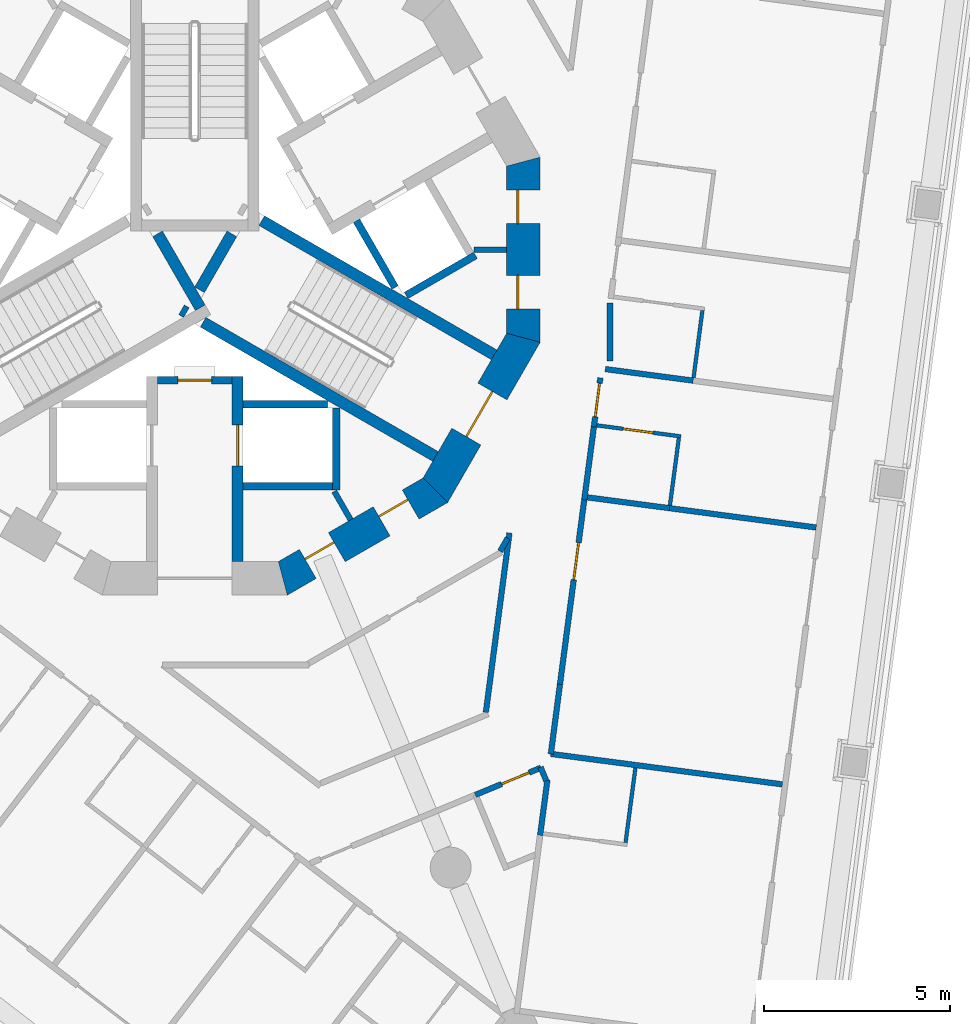
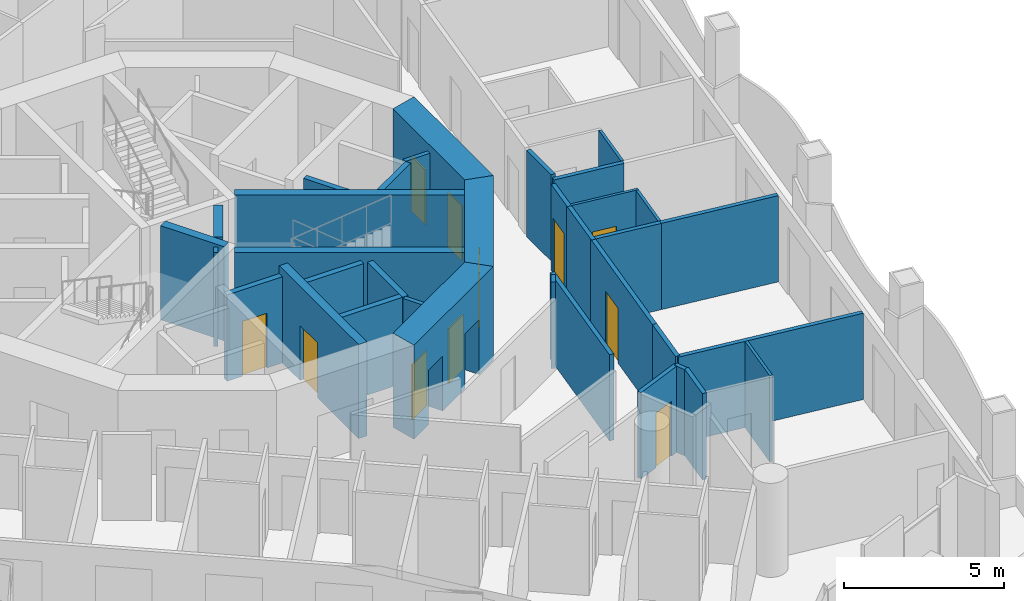
# One storey, part 5 of 18: 35 walls, 11 doors, 11 openings.
"""IFC4 building model written with IfcOpenShell, lengths in metres."""

from ifc_helpers import new_model, si_unit, direction, frame, frame_2d, origin, place, context, subcontext, project, spatial, polyline, rectangle, outline, extrude, material, layer, layer_set, type_object, element, fill, save


model = new_model("IFC4")

# Units and contexts
model_context = context("Model", 3, precision=1e-05, world=origin(), true_north=direction((0.0, 1.0)))
body_context = subcontext(model_context, "Body", "Model", "MODEL_VIEW")
ifc_project = project(units=[si_unit("LENGTHUNIT", "METRE"), si_unit("AREAUNIT", "SQUARE_METRE"), si_unit("VOLUMEUNIT", "CUBIC_METRE"), si_unit("PLANEANGLEUNIT", "RADIAN"), si_unit("MASSUNIT", "GRAM", prefix="KILO")], contexts=[model_context])

# Site, building, storey
site_placement = place(None, origin())
site = spatial("IfcSite", under=ifc_project, at=site_placement, CompositionType="ELEMENT")
building_placement = place(site_placement, origin())
building = spatial("IfcBuilding", under=site, at=building_placement, Name="Trine Commons Tower", CompositionType="ELEMENT")
storey_placement = place(building_placement, frame((0.0, 0.0, 145.800048828125)))
storey = spatial("IfcBuildingStorey", under=building, at=storey_placement, Name="L37", CompositionType="ELEMENT", Elevation=145.800048828125)

# Walls
ifc_material_1 = material(Name="Plasterboard partition on steel studs", Category="steel")
ifc_layer_1 = layer(ifc_material_1, 0.14990234375)
ifc_layer_set_1 = layer_set([ifc_layer_1], Name="Plasterboard partition on steel studs")
wall_type_1 = type_object("IfcWallType", Name="Core room partition 150 mm, EI 60", PredefinedType="PARTITIONING", material=ifc_layer_set_1)
for number, where, z_axis, x_axis, name in (
    (1, (84.18603515625, 55.2490234375, 0.0), (0.0, 0.0, 1.0), (-0.499890179513, 0.866088799389, 0.0), "Core room partition L37"),
    (2, (88.373046875, 62.5, 0.0), (0.0, 0.0, 1.0), (-1.0, 0.0, 0.0), "Core room partition L37"),
):
    element("IfcWall", number, at=place(storey_placement, frame(where, z_axis=z_axis, x_axis=x_axis)), inside=storey, type_object=wall_type_1, Name=name, PredefinedType="PARTITIONING", context=body_context, shape_type="SweptSolid", body=[
        extrude(rectangle(XDim=0.882080078125, YDim=0.14990234375, at=frame_2d((0.44091796875, 0.0))), origin(), (0.0, 0.0, 1.0), 3.300048828125),
    ])

# Wall, opening, door
ifc_material_2 = material(Name="Fire-rated gypsum shaft wall system")
ifc_layer_2 = layer(ifc_material_2, 0.199951171875)
ifc_layer_set_2 = layer_set([ifc_layer_2], Name="Fire-rated gypsum shaft wall system")
wall_type_2 = type_object("IfcWallType", Name="Lobby end wall 200 mm, EI 120", PredefinedType="PARTITIONING", material=ifc_layer_set_2)
wall_1_placement = place(storey_placement, frame((79.0, 59.0, 0.0), z_axis=(0.0, 0.0, 1.0), x_axis=(1.0, 0.0, 0.0)))
wall_1 = element("IfcWall", 3, at=wall_1_placement, inside=storey, type_object=wall_type_2, Name="Lobby end wall L37", PredefinedType="PARTITIONING", context=body_context, shape_type="SweptSolid", body=[
    extrude(rectangle(XDim=2.0, YDim=0.199951171875, at=frame_2d((1.0, 0.0))), origin(), (0.0, 0.0, 1.0), 3.300048828125),
])
opening_1_placement = place(wall_1_placement, frame((0.550048828125, 0.0, 0.0)))
opening_1 = element("IfcOpeningElement", 4, at=opening_1_placement, cuts=wall_1, Name="Opening K12.09", PredefinedType="OPENING", context=body_context, shape_type="SweptSolid", body=[
    extrude(rectangle(XDim=0.89990234375, YDim=2.10009765625, at=frame_2d((0.449951171875, 1.050048828125))), frame((0.0, 0.10986328125, 0.0), z_axis=(0.0, -1.0, 0.0), x_axis=(1.0, 0.0, 0.0)), (0.0, 0.0, 1.0), 0.219970703125),
])
ifc_material_3 = material(Name="Steel door leaf, fire-rated", Category="steel")
door_type_1 = type_object("IfcDoorType", Name="Riser access door, single leaf 900 x 2100, FD60", OperationType="SINGLE_SWING_LEFT", PredefinedType="DOOR", material=ifc_material_3)
door_1_placement = place(opening_1_placement, frame((0.89990234375, 0.0, 0.0), z_axis=(0.0, 0.0, 1.0), x_axis=(-1.0, 0.0, 0.0)))
door_1 = element("IfcDoor", 5, at=door_1_placement, inside=storey, type_object=door_type_1, Name="Riser door, Communications riser L37", OperationType="SINGLE_SWING_RIGHT", OverallHeight=2.10009765625, OverallWidth=0.89990234375, PredefinedType="DOOR", context=body_context, shape_type="SweptSolid", body=[
    extrude(rectangle(XDim=0.89990234375, YDim=2.10009765625, at=frame_2d((0.449951171875, 1.050048828125))), frame((0.0, 0.02490234375, 0.0), z_axis=(0.0, -1.0, 0.0), x_axis=(1.0, 0.0, 0.0)), (0.0, 0.0, 1.0), 0.050048828125),
])
fill(opening_1, door_1)

ifc_material_4 = material(Name="Concrete C70/85", Category="concrete")
ifc_layer_3 = layer(ifc_material_4, 0.300048828125)
ifc_layer_set_3 = layer_set([ifc_layer_3], Name="Concrete C70/85")
wall_type_3 = type_object("IfcWallType", Name="RC shear wall 300 mm, C70/85", PredefinedType="SHEAR", material=ifc_layer_set_3)
wall_2_placement = place(storey_placement, frame((81.14990234375, 59.10009765625, 0.0), z_axis=(0.0, 0.0, 1.0), x_axis=(0.0, -1.0, 0.0)))
wall_2 = element("IfcWall", 6, at=wall_2_placement, inside=storey, type_object=wall_type_3, Name="Core cross wall SWB-04 L37", PredefinedType="SHEAR", context=body_context, shape_type="SweptSolid", body=[
    extrude(rectangle(XDim=4.97314453125, YDim=0.300048828125, at=frame_2d((2.486572265625, 0.0))), origin(), (0.0, 0.0, 1.0), 3.599853515625),
])
opening_2_placement = place(wall_2_placement, frame((1.300048828125, 0.0, 0.0)))
opening_2 = element("IfcOpeningElement", 7, at=opening_2_placement, cuts=wall_2, Name="Opening LD9", PredefinedType="OPENING", context=body_context, shape_type="SweptSolid", body=[
    extrude(rectangle(XDim=1.10009765625, YDim=2.10009765625, at=frame_2d((0.550048828125, 1.050048828125))), frame((0.0, 0.159912109375, 0.0), z_axis=(0.0, -1.0, 0.0), x_axis=(1.0, 0.0, 0.0)), (0.0, 0.0, 1.0), 0.320068359375),
])
ifc_material_5 = material(Name="Stainless steel sliding door leaves", Category="steel")
door_type_2 = type_object("IfcDoorType", Name="Lift landing door, centre-opening sliding 1100 x 2100, FD90", OperationType="DOUBLE_DOOR_SLIDING", PredefinedType="DOOR", material=ifc_material_5)
door_2_placement = place(opening_2_placement, origin())
door_2 = element("IfcDoor", 8, at=door_2_placement, inside=storey, type_object=door_type_2, Name="Lift landing door FF1 L37", OperationType="DOUBLE_DOOR_SLIDING", OverallHeight=2.10009765625, OverallWidth=1.10009765625, PredefinedType="DOOR", context=body_context, shape_type="SweptSolid", body=[
    extrude(rectangle(XDim=1.10009765625, YDim=2.10009765625, at=frame_2d((0.550048828125, 1.050048828125))), frame((0.0, 0.02490234375, 0.0), z_axis=(0.0, -1.0, 0.0), x_axis=(1.0, 0.0, 0.0)), (0.0, 0.0, 1.0), 0.050048828125),
])
fill(opening_2, door_2)

# Walls
wall_3_placement = place(storey_placement, frame((79.0029296875, 62.926025390625, 0.0), z_axis=(0.0, 0.0, 1.0), x_axis=(0.499965247104, -0.866045467449, 0.0)))
element("IfcWall", 9, at=wall_3_placement, inside=storey, type_object=wall_type_3, Name="Core cross wall SWB-10 L37", PredefinedType="SHEAR", context=body_context, shape_type="SweptSolid", body=[
    extrude(rectangle(XDim=2.292236328125, YDim=0.300048828125, at=frame_2d((1.14599609375, 0.0))), origin(), (0.0, 0.0, 1.0), 3.599853515625),
])
wall_4_placement = place(storey_placement, frame((79.64599609375, 60.885986328125, 0.0), z_axis=(0.0, 0.0, 1.0), x_axis=(0.867331893649, -0.497730234424, 0.0)))
element("IfcWall", 10, at=wall_4_placement, inside=storey, type_object=wall_type_3, Name="Core cross wall SWB-11 L37", PredefinedType="SHEAR", context=body_context, shape_type="SweptSolid", body=[
    extrude(rectangle(XDim=0.148681640625, YDim=0.300048828125, at=frame_2d((0.07421875, 0.0))), origin(), (0.0, 0.0, 1.0), 3.599853515625),
])
wall_5_placement = place(storey_placement, frame((80.1298828125, 61.424072265625, 0.0), z_axis=(0.0, 0.0, 1.0), x_axis=(0.500014901547, 0.866016800201, 0.0)))
element("IfcWall", 11, at=wall_5_placement, inside=storey, type_object=wall_type_3, Name="Core cross wall SWB-12 L37", PredefinedType="SHEAR", context=body_context, shape_type="SweptSolid", body=[
    extrude(rectangle(XDim=1.734375, YDim=0.300048828125, at=frame_2d((0.8671875, 0.0))), origin(), (0.0, 0.0, 1.0), 3.599853515625),
])
for number, where, z_axis, x_axis, name in (
    (12, (80.22509765625, 60.552001953125, 0.0), (0.0, 0.0, 1.0), (0.866028135082, -0.499995269223, 0.0), "Core cross wall SWB-13 L37"),
    (13, (81.800048828125, 63.280029296875, 0.0), (0.0, 0.0, 1.0), (0.866028135082, -0.499995269223, 0.0), "Core cross wall SWB-18 L37"),
):
    element("IfcWall", number, at=place(storey_placement, frame(where, z_axis=z_axis, x_axis=x_axis)), inside=storey, type_object=wall_type_3, Name=name, PredefinedType="SHEAR", context=body_context, shape_type="SweptSolid", body=[
        extrude(rectangle(XDim=7.2041015625, YDim=0.300048828125, at=frame_2d((3.60205078125, 0.0))), origin(), (0.0, 0.0, 1.0), 3.599853515625),
    ])

# Wall, openings, doors
ifc_layer_4 = layer(ifc_material_4, 0.89990234375)
ifc_layer_set_4 = layer_set([ifc_layer_4], Name="Concrete C70/85")
wall_type_4 = type_object("IfcWallType", Name="RC shear wall 900 mm, C70/85", PredefinedType="SHEAR", material=ifc_layer_set_4)
wall_6_placement = place(storey_placement, frame((88.822998046875, 60.015380859375, 0.0), z_axis=(0.0, 0.0, 1.0), x_axis=(0.0, 1.0, 0.0)))
wall_6 = element("IfcWall", 14, at=wall_6_placement, inside=storey, type_object=wall_type_4, Name="Core wall CWD-01 L37", PredefinedType="SHEAR", context=body_context, shape_type="SweptSolid", body=[
    extrude(outline(polyline([(0.0, -0.449951171875), (4.969482421875, -0.449951171875), (4.728271484375, 0.449951171875), (0.2412109375, 0.449951171875), (0.0, -0.449951171875)])), origin(), (0.0, 0.0, 1.0), 3.599853515625),
])
opening_3_placement = place(wall_6_placement, frame((0.893798828125, 0.0, 0.0)))
opening_3 = element("IfcOpeningElement", 15, at=opening_3_placement, cuts=wall_6, Name="Opening K12.10", PredefinedType="OPENING", context=body_context, shape_type="SweptSolid", body=[
    extrude(rectangle(XDim=0.89990234375, YDim=2.10009765625, at=frame_2d((0.449951171875, 1.050048828125))), frame((0.0, 0.4599609375, 0.0), z_axis=(0.0, -1.0, 0.0), x_axis=(1.0, 0.0, 0.0)), (0.0, 0.0, 1.0), 0.919921875),
])
opening_4_placement = place(wall_6_placement, frame((3.184814453125, 0.0, 0.0)))
opening_4 = element("IfcOpeningElement", 16, at=opening_4_placement, cuts=wall_6, Name="Opening K12.11", PredefinedType="OPENING", context=body_context, shape_type="SweptSolid", body=[
    extrude(rectangle(XDim=0.89990234375, YDim=2.10009765625, at=frame_2d((0.449951171875, 1.050048828125))), frame((0.0, 0.4599609375, 0.0), z_axis=(0.0, -1.0, 0.0), x_axis=(1.0, 0.0, 0.0)), (0.0, 0.0, 1.0), 0.919921875),
])
door_type_3 = type_object("IfcDoorType", Name="Core room door, single leaf 900 x 2100, FD30S", OperationType="SINGLE_SWING_LEFT", PredefinedType="DOOR", material=ifc_material_3)
door_3_placement = place(opening_3_placement, origin())
door_3 = element("IfcDoor", 17, at=door_3_placement, inside=storey, type_object=door_type_3, Name="Door to Linen store L37", OperationType="SINGLE_SWING_LEFT", OverallHeight=2.10009765625, OverallWidth=0.89990234375, PredefinedType="DOOR", context=body_context, shape_type="SweptSolid", body=[
    extrude(rectangle(XDim=0.89990234375, YDim=2.10009765625, at=frame_2d((0.449951171875, 1.050048828125))), frame((0.0, 0.1748046875, 0.0), z_axis=(0.0, -1.0, 0.0), x_axis=(1.0, 0.0, 0.0)), (0.0, 0.0, 1.0), 0.050048828125),
])
fill(opening_3, door_3)
door_4_placement = place(opening_4_placement, origin())
door_4 = element("IfcDoor", 18, at=door_4_placement, inside=storey, type_object=door_type_3, Name="Door to Pantry L37", OperationType="SINGLE_SWING_RIGHT", OverallHeight=2.10009765625, OverallWidth=0.89990234375, PredefinedType="DOOR", context=body_context, shape_type="SweptSolid", body=[
    extrude(rectangle(XDim=0.89990234375, YDim=2.10009765625, at=frame_2d((0.449951171875, 1.050048828125))), frame((0.0, 0.1748046875, 0.0), z_axis=(0.0, -1.0, 0.0), x_axis=(1.0, 0.0, 0.0)), (0.0, 0.0, 1.0), 0.050048828125),
])
fill(opening_4, door_4)

wall_7_placement = place(storey_placement, frame((82.259765625, 53.61669921875, 0.0), z_axis=(0.0, 0.0, 1.0), x_axis=(0.866003133579, 0.500038571144, 0.0)))
wall_7 = element("IfcWall", 19, at=wall_7_placement, inside=storey, type_object=wall_type_4, Name="Core wall CWD-11 L37", PredefinedType="SHEAR", context=body_context, shape_type="SweptSolid", body=[
    extrude(outline(polyline([(0.0, -0.449951171875), (4.96923828125, -0.449951171875), (4.72802734375, 0.449951171875), (0.2412109375, 0.449951171875), (0.0, -0.449951171875)])), origin(), (0.0, 0.0, 1.0), 3.599853515625),
])
opening_5_placement = place(wall_7_placement, frame((0.89501953125, 0.0, 0.0)))
opening_5 = element("IfcOpeningElement", 20, at=opening_5_placement, cuts=wall_7, Name="Opening K12.20", PredefinedType="OPENING", context=body_context, shape_type="SweptSolid", body=[
    extrude(rectangle(XDim=0.89990234375, YDim=2.10009765625, at=frame_2d((0.449951171875, 1.050048828125))), frame((0.0, 0.4599609375, 0.0), z_axis=(0.0, -1.0, 0.0), x_axis=(1.0, 0.0, 0.0)), (0.0, 0.0, 1.0), 0.919921875),
])
opening_6_placement = place(wall_7_placement, frame((3.18408203125, 0.0, 0.0)))
opening_6 = element("IfcOpeningElement", 21, at=opening_6_placement, cuts=wall_7, Name="Opening K12.21", PredefinedType="OPENING", context=body_context, shape_type="SweptSolid", body=[
    extrude(rectangle(XDim=0.89990234375, YDim=2.10009765625, at=frame_2d((0.449951171875, 1.050048828125))), frame((0.0, 0.4599609375, 0.0), z_axis=(0.0, -1.0, 0.0), x_axis=(1.0, 0.0, 0.0)), (0.0, 0.0, 1.0), 0.919921875),
])
door_5_placement = place(opening_5_placement, origin())
door_5 = element("IfcDoor", 22, at=door_5_placement, inside=storey, type_object=door_type_3, Name="Door to Accessible WC L37", OperationType="SINGLE_SWING_LEFT", OverallHeight=2.10009765625, OverallWidth=0.89990234375, PredefinedType="DOOR", context=body_context, shape_type="SweptSolid", body=[
    extrude(rectangle(XDim=0.89990234375, YDim=2.10009765625, at=frame_2d((0.449951171875, 1.050048828125))), frame((0.0, 0.1748046875, 0.0), z_axis=(0.0, -1.0, 0.0), x_axis=(1.0, 0.0, 0.0)), (0.0, 0.0, 1.0), 0.050048828125),
])
fill(opening_5, door_5)
door_6_placement = place(opening_6_placement, origin())
door_6 = element("IfcDoor", 23, at=door_6_placement, inside=storey, type_object=door_type_3, Name="Door to Linen store L37", OperationType="SINGLE_SWING_RIGHT", OverallHeight=2.10009765625, OverallWidth=0.89990234375, PredefinedType="DOOR", context=body_context, shape_type="SweptSolid", body=[
    extrude(rectangle(XDim=0.89990234375, YDim=2.10009765625, at=frame_2d((0.449951171875, 1.050048828125))), frame((0.0, 0.1748046875, 0.0), z_axis=(0.0, -1.0, 0.0), x_axis=(1.0, 0.0, 0.0)), (0.0, 0.0, 1.0), 0.050048828125),
])
fill(opening_6, door_6)

# Wall, opening, door
wall_8_placement = place(storey_placement, frame((86.3984375, 55.936767578125, 0.0), z_axis=(0.0, 0.0, 1.0), x_axis=(0.500038571144, 0.866003133579, 0.0)))
wall_8 = element("IfcWall", 24, at=wall_8_placement, inside=storey, type_object=wall_type_4, Name="Core wall CWD-12 L37", PredefinedType="SHEAR", context=body_context, shape_type="SweptSolid", body=[
    extrude(outline(polyline([(0.0, -0.449951171875), (4.96923828125, -0.449951171875), (4.72802734375, 0.449951171875), (0.2412109375, 0.449951171875), (0.0, -0.449951171875)])), origin(), (0.0, 0.0, 1.0), 3.599853515625),
])
opening_7_placement = place(wall_8_placement, frame((1.78466796875, 0.0, 0.0)))
opening_7 = element("IfcOpeningElement", 25, at=opening_7_placement, cuts=wall_8, Name="Opening K12.03", PredefinedType="OPENING", context=body_context, shape_type="SweptSolid", body=[
    extrude(rectangle(XDim=1.39990234375, YDim=2.10009765625, at=frame_2d((0.699951171875, 1.050048828125))), frame((0.0, 0.4599609375, 0.0), z_axis=(0.0, -1.0, 0.0), x_axis=(1.0, 0.0, 0.0)), (0.0, 0.0, 1.0), 0.919921875),
])
ifc_material_6 = material(Name="Steel door leaves, fire-rated", Category="steel")
door_type_4 = type_object("IfcDoorType", Name="Stair door, double leaf 1400 x 2100, FD90", OperationType="DOUBLE_DOOR_SINGLE_SWING", PredefinedType="DOOR", material=ifc_material_6)
door_7_placement = place(opening_7_placement, origin())
door_7 = element("IfcDoor", 26, at=door_7_placement, inside=storey, type_object=door_type_4, Name="Stair door to Exit stair ST3B L37", OperationType="DOUBLE_DOOR_SINGLE_SWING", OverallHeight=2.10009765625, OverallWidth=1.39990234375, PredefinedType="DOOR", context=body_context, shape_type="SweptSolid", body=[
    extrude(rectangle(XDim=1.39990234375, YDim=2.10009765625, at=frame_2d((0.699951171875, 1.050048828125))), frame((0.0, 0.02490234375, 0.0), z_axis=(0.0, -1.0, 0.0), x_axis=(1.0, 0.0, 0.0)), (0.0, 0.0, 1.0), 0.050048828125),
])
fill(opening_7, door_7)

# Walls
ifc_layer_5 = layer(ifc_material_2, 0.199951171875)
ifc_layer_set_5 = layer_set([ifc_layer_5], Name="Fire-rated gypsum shaft wall system")
wall_type_5 = type_object("IfcWallType", Name="Shaft wall 200 mm, EI 120", PredefinedType="PARTITIONING", material=ifc_layer_set_5)
wall_9_placement = place(storey_placement, frame((81.300048828125, 56.14990234375, 0.0), z_axis=(0.0, 0.0, 1.0), x_axis=(1.0, 0.0, 0.0)))
element("IfcWall", 27, at=wall_9_placement, inside=storey, type_object=wall_type_5, Name="Shaft wall L37", PredefinedType="PARTITIONING", context=body_context, shape_type="SweptSolid", body=[
    extrude(rectangle(XDim=2.39990234375, YDim=0.199951171875, at=frame_2d((1.199951171875, 0.0))), origin(), (0.0, 0.0, 1.0), 3.300048828125),
])
wall_10_placement = place(storey_placement, frame((81.300048828125, 58.35009765625, 0.0), z_axis=(0.0, 0.0, 1.0), x_axis=(1.0, 0.0, 0.0)))
element("IfcWall", 28, at=wall_10_placement, inside=storey, type_object=wall_type_5, Name="Shaft wall L37", PredefinedType="PARTITIONING", context=body_context, shape_type="SweptSolid", body=[
    extrude(rectangle(XDim=2.264892578125, YDim=0.199951171875, at=frame_2d((1.13232421875, 0.0))), origin(), (0.0, 0.0, 1.0), 3.300048828125),
])
wall_11_placement = place(storey_placement, frame((83.800048828125, 58.257080078125, 0.0), z_axis=(0.0, 0.0, 1.0), x_axis=(0.0, -1.0, 0.0)))
element("IfcWall", 29, at=wall_11_placement, inside=storey, type_object=wall_type_5, Name="Shaft wall L37", PredefinedType="PARTITIONING", context=body_context, shape_type="SweptSolid", body=[
    extrude(rectangle(XDim=2.20703125, YDim=0.199951171875, at=frame_2d((1.103515625, 0.0))), origin(), (0.0, 0.0, 1.0), 3.300048828125),
])
wall_12_placement = place(storey_placement, frame((84.343994140625, 63.27587890625, 0.0), z_axis=(0.0, 0.0, 1.0), x_axis=(0.500271688072, -0.86586848777, 0.0)))
element("IfcWall", 30, at=wall_12_placement, inside=storey, type_object=wall_type_5, Name="Shaft wall L37", PredefinedType="PARTITIONING", context=body_context, shape_type="SweptSolid", body=[
    extrude(rectangle(XDim=2.064697265625, YDim=0.199951171875, at=frame_2d((1.0322265625, 0.0))), origin(), (0.0, 0.0, 1.0), 3.300048828125),
])
wall_13_placement = place(storey_placement, frame((85.675048828125, 61.27392578125, 0.0), z_axis=(0.0, 0.0, 1.0), x_axis=(0.866102336459, 0.499866725018, 0.0)))
element("IfcWall", 31, at=wall_13_placement, inside=storey, type_object=wall_type_5, Name="Shaft wall L37", PredefinedType="PARTITIONING", context=body_context, shape_type="SweptSolid", body=[
    extrude(rectangle(XDim=2.1484375, YDim=0.199951171875, at=frame_2d((1.07421875, 0.0))), origin(), (0.0, 0.0, 1.0), 3.300048828125),
])

# Wall, opening, door
ifc_material_7 = material(Name="Gypsum plasterboard on steel stud", Category="steel")
ifc_layer_6 = layer(ifc_material_7, 0.14990234375)
ifc_layer_set_6 = layer_set([ifc_layer_6], Name="Gypsum plasterboard on steel stud")
wall_type_6 = type_object("IfcWallType", Name="Unit and corridor wall 150 mm, EI 60", PredefinedType="PARTITIONING", material=ifc_layer_set_6)
wall_14_placement = place(storey_placement, frame((87.532958984375, 47.864013671875, 0.0), z_axis=(0.0, 0.0, 1.0), x_axis=(0.923851437131, 0.382751253571, 0.0)))
wall_14 = element("IfcWall", 32, at=wall_14_placement, inside=storey, type_object=wall_type_6, Name="Partition 098", PredefinedType="PARTITIONING", context=body_context, shape_type="SweptSolid", body=[
    extrude(rectangle(XDim=1.9072265625, YDim=0.14990234375, at=frame_2d((0.95361328125, 0.0))), origin(), (0.0, 0.0, 1.0), 3.300048828125),
])
opening_8_placement = place(wall_14_placement, frame((0.764892578125, 0.0, 0.0)))
opening_8 = element("IfcOpeningElement", 33, at=opening_8_placement, cuts=wall_14, Name="Opening D-4C04", PredefinedType="OPENING", context=body_context, shape_type="SweptSolid", body=[
    extrude(rectangle(XDim=0.800048828125, YDim=2.10009765625, at=frame_2d((0.39990234375, 1.050048828125))), frame((0.0, 0.0849609375, 0.0), z_axis=(0.0, -1.0, 0.0), x_axis=(1.0, 0.0, 0.0)), (0.0, 0.0, 1.0), 0.169921875),
])
ifc_material_8 = material(Name="Painted timber", Category="wood")
door_type_5 = type_object("IfcDoorType", Name="Toilet door 800 x 2100, NOT RATED", OperationType="NOTDEFINED", PredefinedType="DOOR", material=ifc_material_8)
door_8_placement = place(opening_8_placement, frame((0.800048828125, 0.0, 0.0), z_axis=(0.0, 0.0, 1.0), x_axis=(-1.0, 0.0, 0.0)))
door_8 = element("IfcDoor", 34, at=door_8_placement, inside=storey, type_object=door_type_5, Name="Door D-4C04", OperationType="SINGLE_SWING_LEFT", OverallHeight=2.10009765625, OverallWidth=0.800048828125, PredefinedType="DOOR", context=body_context, shape_type="SweptSolid", body=[
    extrude(rectangle(XDim=0.800048828125, YDim=2.10009765625, at=frame_2d((0.39990234375, 1.050048828125))), frame((0.0, 0.02490234375, 0.0), z_axis=(0.0, -1.0, 0.0), x_axis=(1.0, 0.0, 0.0)), (0.0, 0.0, 1.0), 0.050048828125),
])
fill(opening_8, door_8)

# Walls
wall_15_placement = place(storey_placement, frame((87.814697265625, 50.080322265625, 0.0), z_axis=(0.0, 0.0, 1.0), x_axis=(0.130546835993, 0.991442143351, 0.0)))
element("IfcWall", 35, at=wall_15_placement, inside=storey, type_object=wall_type_6, Name="Partition 101", PredefinedType="PARTITIONING", context=body_context, shape_type="SweptSolid", body=[
    extrude(rectangle(XDim=4.856689453125, YDim=0.14990234375, at=frame_2d((2.42822265625, 0.0))), origin(), (0.0, 0.0, 1.0), 3.300048828125),
])
wall_16_placement = place(storey_placement, frame((88.198486328125, 54.404052734375, 0.0), z_axis=(0.0, 0.0, 1.0), x_axis=(0.499481060725, 0.866324806281, 0.0)))
element("IfcWall", 36, at=wall_16_placement, inside=storey, type_object=wall_type_6, Name="Partition 103", PredefinedType="PARTITIONING", context=body_context, shape_type="SweptSolid", body=[
    extrude(rectangle(XDim=0.40869140625, YDim=0.14990234375, at=frame_2d((0.204345703125, 0.0))), origin(), (0.0, 0.0, 1.0), 3.300048828125),
])
wall_17_placement = place(storey_placement, frame((89.271484375, 46.780517578125, 0.0), z_axis=(0.0, 0.0, 1.0), x_axis=(0.130968577384, 0.991386519849, 0.0)))
element("IfcWall", 37, at=wall_17_placement, inside=storey, type_object=wall_type_6, Name="Partition 109", PredefinedType="PARTITIONING", context=body_context, shape_type="SweptSolid", body=[
    extrude(rectangle(XDim=1.498779296875, YDim=0.14990234375, at=frame_2d((0.74951171875, 0.0))), origin(), (0.0, 0.0, 1.0), 3.300048828125),
])
wall_18_placement = place(storey_placement, frame((89.283935546875, 48.611328125, 0.0), z_axis=(0.0, 0.0, 1.0), x_axis=(0.383358021714, -0.923599819829, 0.0)))
element("IfcWall", 38, at=wall_18_placement, inside=storey, type_object=wall_type_6, Name="Partition 111", PredefinedType="PARTITIONING", context=body_context, shape_type="SweptSolid", body=[
    extrude(rectangle(XDim=0.39990234375, YDim=0.14990234375, at=frame_2d((0.199951171875, 0.0))), origin(), (0.0, 0.0, 1.0), 3.300048828125),
])
wall_19_placement = place(storey_placement, frame((89.55908203125, 48.9609375, 0.0), z_axis=(0.0, 0.0, 1.0), x_axis=(0.130073589494, 0.99150434256, 0.0)))
element("IfcWall", 39, at=wall_19_placement, inside=storey, type_object=wall_type_6, Name="Partition 112", PredefinedType="PARTITIONING", context=body_context, shape_type="SweptSolid", body=[
    extrude(rectangle(XDim=1.89013671875, YDim=0.14990234375, at=frame_2d((0.945068359375, 0.0))), origin(), (0.0, 0.0, 1.0), 3.300048828125),
])
wall_20_placement = place(storey_placement, frame((89.55908203125, 48.965087890625, 0.0), z_axis=(0.0, 0.0, 1.0), x_axis=(0.991455620836, -0.130444439942, 0.0)))
element("IfcWall", 40, at=wall_20_placement, inside=storey, type_object=wall_type_6, Name="Partition 113", PredefinedType="PARTITIONING", context=body_context, shape_type="SweptSolid", body=[
    extrude(rectangle(XDim=6.269775390625, YDim=0.14990234375, at=frame_2d((3.134765625, 0.0))), origin(), (0.0, 0.0, 1.0), 3.300048828125),
])

# Wall, opening, door
wall_21_placement = place(storey_placement, frame((89.804931640625, 50.8349609375, 0.0), z_axis=(0.0, 0.0, 1.0), x_axis=(0.130505549377, 0.991447578837, 0.0)))
wall_21 = element("IfcWall", 41, at=wall_21_placement, inside=storey, type_object=wall_type_6, Name="Partition 114", PredefinedType="PARTITIONING", context=body_context, shape_type="SweptSolid", body=[
    extrude(rectangle(XDim=5.073486328125, YDim=0.14990234375, at=frame_2d((2.53662109375, 0.0))), origin(), (0.0, 0.0, 1.0), 3.300048828125),
])
opening_9_placement = place(wall_21_placement, frame((2.83056640625, 0.0, 0.0)))
opening_9 = element("IfcOpeningElement", 42, at=opening_9_placement, cuts=wall_21, Name="Opening D-4C20", PredefinedType="OPENING", context=body_context, shape_type="SweptSolid", body=[
    extrude(rectangle(XDim=1.0, YDim=2.10009765625, at=frame_2d((0.5, 1.050048828125))), frame((0.0, 0.0849609375, 0.0), z_axis=(0.0, -1.0, 0.0), x_axis=(1.0, 0.0, 0.0)), (0.0, 0.0, 1.0), 0.169921875),
])
door_type_6 = type_object("IfcDoorType", Name="Amenity room door 1000 x 2100, NOT RATED", OperationType="NOTDEFINED", PredefinedType="DOOR", material=ifc_material_8)
door_9_placement = place(opening_9_placement, frame((1.0, 0.0, 0.0), z_axis=(0.0, 0.0, 1.0), x_axis=(-1.0, 0.0, 0.0)))
door_9 = element("IfcDoor", 43, at=door_9_placement, inside=storey, type_object=door_type_6, Name="Door D-4C20", OperationType="SINGLE_SWING_LEFT", OverallHeight=2.10009765625, OverallWidth=1.0, PredefinedType="DOOR", context=body_context, shape_type="SweptSolid", body=[
    extrude(rectangle(XDim=1.0, YDim=2.10009765625, at=frame_2d((0.5, 1.050048828125))), frame((0.0, 0.02490234375, 0.0), z_axis=(0.0, -1.0, 0.0), x_axis=(1.0, 0.0, 0.0)), (0.0, 0.0, 1.0), 0.050048828125),
])
fill(opening_9, door_9)

# Walls
wall_22_placement = place(storey_placement, frame((90.456298828125, 55.78271484375, 0.0), z_axis=(0.0, 0.0, 1.0), x_axis=(0.130668874655, 0.99142606643, 0.0)))
element("IfcWall", 44, at=wall_22_placement, inside=storey, type_object=wall_type_6, Name="Partition 116", PredefinedType="PARTITIONING", context=body_context, shape_type="SweptSolid", body=[
    extrude(rectangle(XDim=2.03271484375, YDim=0.14990234375, at=frame_2d((1.016357421875, 0.0))), origin(), (0.0, 0.0, 1.0), 3.300048828125),
])
wall_23_placement = place(storey_placement, frame((90.54150390625, 55.851318359375, 0.0), z_axis=(0.0, 0.0, 1.0), x_axis=(0.991449812459, -0.130488579479, 0.0)))
element("IfcWall", 45, at=wall_23_placement, inside=storey, type_object=wall_type_6, Name="Partition 117", PredefinedType="PARTITIONING", context=body_context, shape_type="SweptSolid", body=[
    extrude(rectangle(XDim=2.224609375, YDim=0.14990234375, at=frame_2d((1.1123046875, 0.0))), origin(), (0.0, 0.0, 1.0), 3.300048828125),
])

# Wall, opening, door
wall_24_placement = place(storey_placement, frame((90.714599609375, 57.740478515625, 0.0), z_axis=(0.0, 0.0, 1.0), x_axis=(0.130240977229, 0.991482368905, 0.0)))
wall_24 = element("IfcWall", 46, at=wall_24_placement, inside=storey, type_object=wall_type_6, Name="Partition 120", PredefinedType="PARTITIONING", context=body_context, shape_type="SweptSolid", body=[
    extrude(rectangle(XDim=1.330810546875, YDim=0.14990234375, at=frame_2d((0.66552734375, 0.0))), origin(), (0.0, 0.0, 1.0), 3.300048828125),
])
opening_10_placement = place(wall_24_placement, frame((0.281005859375, 0.0, 0.0)))
opening_10 = element("IfcOpeningElement", 47, at=opening_10_placement, cuts=wall_24, Name="Opening D-4C19", PredefinedType="OPENING", context=body_context, shape_type="SweptSolid", body=[
    extrude(rectangle(XDim=0.89990234375, YDim=2.10009765625, at=frame_2d((0.449951171875, 1.050048828125))), frame((0.0, 0.0849609375, 0.0), z_axis=(0.0, -1.0, 0.0), x_axis=(1.0, 0.0, 0.0)), (0.0, 0.0, 1.0), 0.169921875),
])
ifc_material_9 = material(Name="Timber fire door set", Category="wood")
door_type_7 = type_object("IfcDoorType", Name="Bedroom door 900 x 2100, FD30S", OperationType="NOTDEFINED", PredefinedType="DOOR", material=ifc_material_9)
door_10_placement = place(opening_10_placement, frame((0.89990234375, 0.0, 0.0), z_axis=(0.0, 0.0, 1.0), x_axis=(-1.0, 0.0, 0.0)))
door_10 = element("IfcDoor", 48, at=door_10_placement, inside=storey, type_object=door_type_7, Name="Door D-4C19", OperationType="SINGLE_SWING_LEFT", OverallHeight=2.10009765625, OverallWidth=0.89990234375, PredefinedType="DOOR", context=body_context, shape_type="SweptSolid", body=[
    extrude(rectangle(XDim=0.89990234375, YDim=2.10009765625, at=frame_2d((0.449951171875, 1.050048828125))), frame((0.0, 0.02490234375, 0.0), z_axis=(0.0, -1.0, 0.0), x_axis=(1.0, 0.0, 0.0)), (0.0, 0.0, 1.0), 0.050048828125),
])
fill(opening_10, door_10)

# Walls
wall_25_placement = place(storey_placement, frame((91.02197265625, 59.294921875, 0.0), z_axis=(0.0, 0.0, 1.0), x_axis=(0.991478039458, -0.13027393167, 0.0)))
element("IfcWall", 49, at=wall_25_placement, inside=storey, type_object=wall_type_6, Name="Partition 123", PredefinedType="PARTITIONING", context=body_context, shape_type="SweptSolid", body=[
    extrude(rectangle(XDim=2.378173828125, YDim=0.14990234375, at=frame_2d((1.18896484375, 0.0))), origin(), (0.0, 0.0, 1.0), 3.300048828125),
])
wall_26_placement = place(storey_placement, frame((91.14794921875, 59.512939453125, 0.0), z_axis=(0.0, 0.0, 1.0), x_axis=(0.0, 1.0, 0.0)))
element("IfcWall", 50, at=wall_26_placement, inside=storey, type_object=wall_type_6, Name="Partition 124", PredefinedType="PARTITIONING", context=body_context, shape_type="SweptSolid", body=[
    extrude(rectangle(XDim=1.550048828125, YDim=0.14990234375, at=frame_2d((0.77490234375, 0.0))), origin(), (0.0, 0.0, 1.0), 3.300048828125),
])
wall_27_placement = place(storey_placement, frame((92.7470703125, 55.56103515625, 0.0), z_axis=(0.0, 0.0, 1.0), x_axis=(0.991421815949, -0.130701120348, 0.0)))
element("IfcWall", 51, at=wall_27_placement, inside=storey, type_object=wall_type_6, Name="Partition 138", PredefinedType="PARTITIONING", context=body_context, shape_type="SweptSolid", body=[
    extrude(rectangle(XDim=3.96923828125, YDim=0.14990234375, at=frame_2d((1.984619140625, 0.0))), origin(), (0.0, 0.0, 1.0), 3.300048828125),
])

# Wall, opening, door
ifc_layer_7 = layer(ifc_material_7, 0.10009765625)
ifc_layer_set_7 = layer_set([ifc_layer_7], Name="Gypsum plasterboard on steel stud")
wall_type_7 = type_object("IfcWallType", Name="Unit partition 100 mm, no rating", PredefinedType="PARTITIONING", material=ifc_layer_set_7)
wall_28_placement = place(storey_placement, frame((90.79638671875, 57.7841796875, 0.0), z_axis=(0.0, 0.0, 1.0), x_axis=(0.991459774706, -0.130412864162, 0.0)))
wall_28 = element("IfcWall", 52, at=wall_28_placement, inside=storey, type_object=wall_type_7, Name="Partition 121", PredefinedType="PARTITIONING", context=body_context, shape_type="SweptSolid", body=[
    extrude(rectangle(XDim=2.274658203125, YDim=0.10009765625, at=frame_2d((1.13720703125, 0.0))), origin(), (0.0, 0.0, 1.0), 3.300048828125),
])
opening_11_placement = place(wall_28_placement, frame((0.71240234375, 0.0, 0.0)))
opening_11 = element("IfcOpeningElement", 53, at=opening_11_placement, cuts=wall_28, Name="Opening D-4C51", PredefinedType="OPENING", context=body_context, shape_type="SweptSolid", body=[
    extrude(rectangle(XDim=0.800048828125, YDim=2.10009765625, at=frame_2d((0.39990234375, 1.050048828125))), frame((0.0, 0.06005859375, 0.0), z_axis=(0.0, -1.0, 0.0), x_axis=(1.0, 0.0, 0.0)), (0.0, 0.0, 1.0), 0.1201171875),
])
door_type_8 = type_object("IfcDoorType", Name="Internal door 800 x 2100, NOT RATED", OperationType="NOTDEFINED", PredefinedType="DOOR", material=ifc_material_8)
door_11_placement = place(opening_11_placement, origin())
door_11 = element("IfcDoor", 54, at=door_11_placement, inside=storey, type_object=door_type_8, Name="Door D-4C51", OperationType="SINGLE_SWING_LEFT", OverallHeight=2.10009765625, OverallWidth=0.800048828125, PredefinedType="DOOR", context=body_context, shape_type="SweptSolid", body=[
    extrude(rectangle(XDim=0.800048828125, YDim=2.10009765625, at=frame_2d((0.39990234375, 1.050048828125))), frame((0.0, 0.02490234375, 0.0), z_axis=(0.0, -1.0, 0.0), x_axis=(1.0, 0.0, 0.0)), (0.0, 0.0, 1.0), 0.050048828125),
])
fill(opening_11, door_11)

# Walls
wall_29_placement = place(storey_placement, frame((91.5654296875, 46.58349609375, 0.0), z_axis=(0.0, 0.0, 1.0), x_axis=(0.130725909934, 0.991418547573, 0.0)))
element("IfcWall", 55, at=wall_29_placement, inside=storey, type_object=wall_type_7, Name="Partition 129", PredefinedType="PARTITIONING", context=body_context, shape_type="SweptSolid", body=[
    extrude(rectangle(XDim=2.0244140625, YDim=0.10009765625, at=frame_2d((1.01220703125, 0.0))), origin(), (0.0, 0.0, 1.0), 3.300048828125),
])
wall_30_placement = place(storey_placement, frame((92.7568359375, 55.635498046875, 0.0), z_axis=(0.0, 0.0, 1.0), x_axis=(0.130866407284, 0.991400011824, 0.0)))
element("IfcWall", 56, at=wall_30_placement, inside=storey, type_object=wall_type_7, Name="Partition 137", PredefinedType="PARTITIONING", context=body_context, shape_type="SweptSolid", body=[
    extrude(rectangle(XDim=1.824462890625, YDim=0.10009765625, at=frame_2d((0.912109375, 0.0))), origin(), (0.0, 0.0, 1.0), 3.300048828125),
])
wall_31_placement = place(storey_placement, frame((93.389892578125, 59.059326171875, 0.0), z_axis=(0.0, 0.0, 1.0), x_axis=(0.130717543687, 0.991419650689, 0.0)))
element("IfcWall", 57, at=wall_31_placement, inside=storey, type_object=wall_type_7, Name="Partition 143", PredefinedType="PARTITIONING", context=body_context, shape_type="SweptSolid", body=[
    extrude(rectangle(XDim=1.82470703125, YDim=0.10009765625, at=frame_2d((0.912353515625, 0.0))), origin(), (0.0, 0.0, 1.0), 3.300048828125),
])

save(model, "model.ifc")
